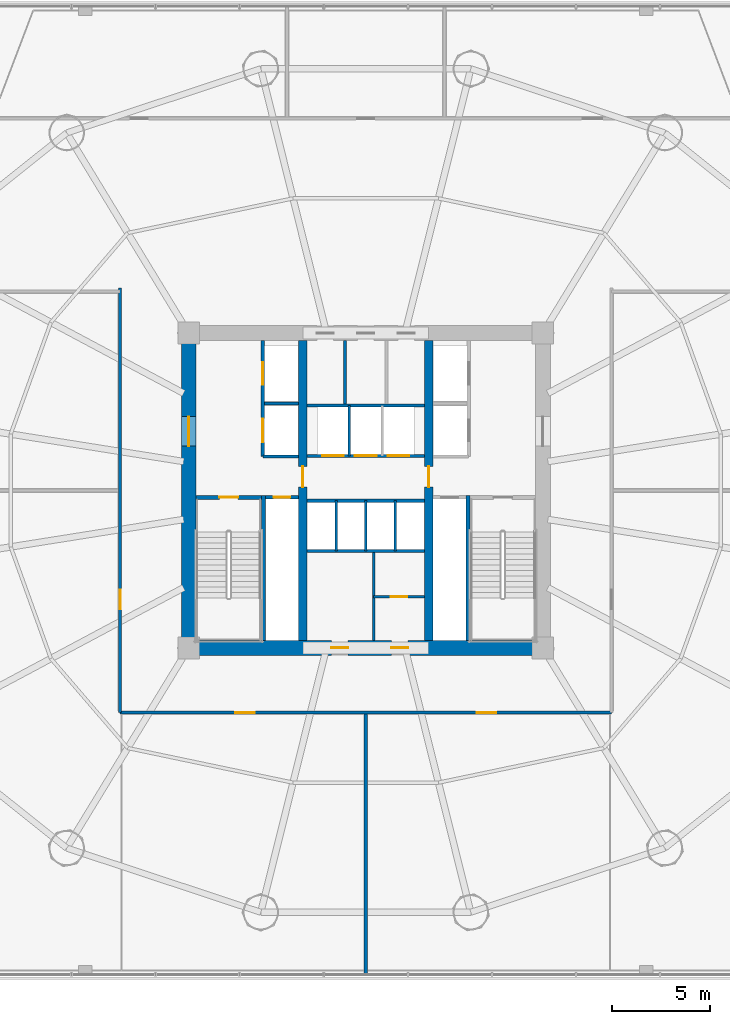
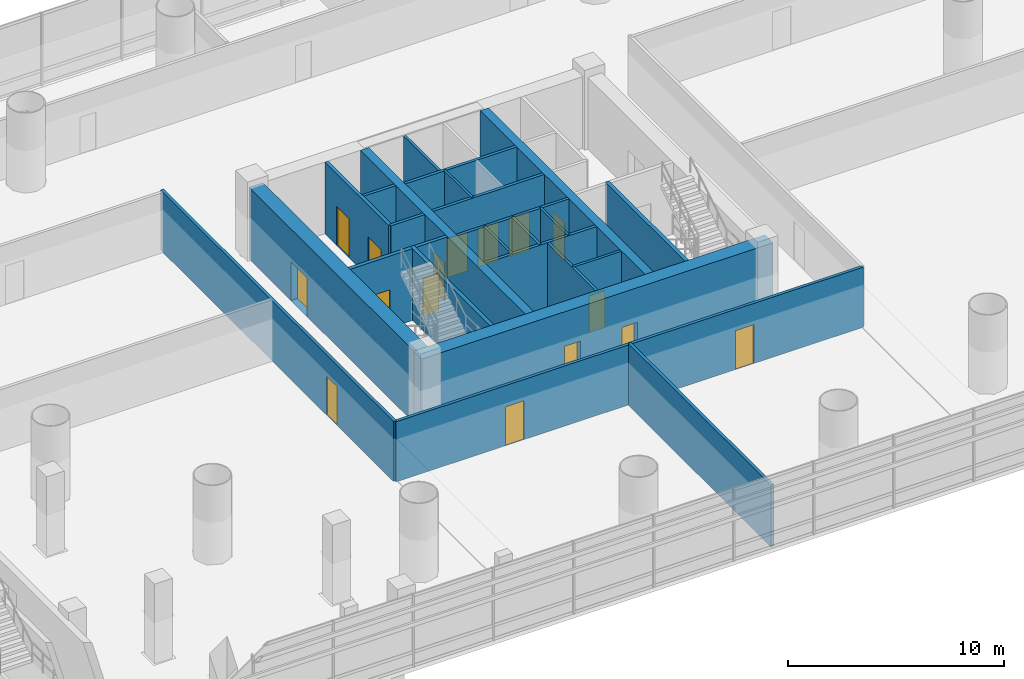
# One storey, part 21 of 36: 25 walls, 16 doors, 16 openings.
"""IFC4 building model written with IfcOpenShell, lengths in metres."""

from ifc_helpers import new_model, si_unit, direction, frame, frame_2d, origin, place, context, subcontext, project, spatial, rectangle, extrude, source, transform, mapped, material, layer, layer_set, type_object, element, fill, save


model = new_model("IFC4")

# Units and contexts
model_context = context("Model", 3, precision=1e-05, world=origin(), true_north=direction((-0.2419218956, 0.970295726276)))
body_context = subcontext(model_context, "Body", "Model", "MODEL_VIEW")
ifc_project = project(units=[si_unit("LENGTHUNIT", "METRE"), si_unit("AREAUNIT", "SQUARE_METRE"), si_unit("VOLUMEUNIT", "CUBIC_METRE"), si_unit("PLANEANGLEUNIT", "RADIAN"), si_unit("MASSUNIT", "GRAM", prefix="KILO")], contexts=[model_context])

# Site, building, storey
site_placement = place(None, origin())
site = spatial("IfcSite", under=ifc_project, at=site_placement, CompositionType="ELEMENT")
building_placement = place(site_placement, origin())
building = spatial("IfcBuilding", under=site, at=building_placement, Name="Cobrevalo Terracotta Tower", CompositionType="ELEMENT")
storey_placement = place(building_placement, frame((0.0, 0.0, 14.39990234375)))
storey = spatial("IfcBuildingStorey", under=building, at=storey_placement, Name="L03", CompositionType="ELEMENT", Elevation=14.39990234375)

# Wall, openings, doors
ifc_material_1 = material(Name="Concrete C60", Category="concrete")
ifc_layer_1 = layer(ifc_material_1, 0.75)
ifc_layer_set_1 = layer_set([ifc_layer_1], Name="Concrete C60")
wall_type_1 = type_object("IfcWallType", Name="Core shear wall 750 mm Concrete C60", PredefinedType="SHEAR", material=ifc_layer_set_1)
wall_1_placement = place(storey_placement, frame((28.625, 18.800048828125, 0.0), z_axis=(0.0, 0.0, 1.0), x_axis=(1.0, 0.0, 0.0)))
wall_1 = element("IfcWall", 1, at=wall_1_placement, inside=storey, type_object=wall_type_1, Name="L03 south core shear wall", PredefinedType="SHEAR", context=body_context, shape_type="SweptSolid", body=[
    extrude(rectangle(XDim=18.75, YDim=0.75, at=frame_2d((9.375, 0.0))), origin(), (0.0, 0.0, 1.0), 4.050048828125),
])
opening_1_placement = place(wall_1_placement, frame((7.62744140625, 0.0, 0.0)))
opening_1 = element("IfcOpeningElement", 2, at=opening_1_placement, cuts=wall_1, Name="Opening ID-22", PredefinedType="OPENING", context=body_context, shape_type="SweptSolid", body=[
    extrude(rectangle(XDim=0.85009765625, YDim=2.10009765625, at=frame_2d((0.425048828125, 1.050048828125))), frame((0.0, 0.385009765625, 0.0), z_axis=(0.0, -1.0, 0.0), x_axis=(1.0, 0.0, 0.0)), (0.0, 0.0, 1.0), 0.77001953125),
])
opening_2_placement = place(wall_1_placement, frame((10.672607421875, 0.0, 0.0)))
opening_2 = element("IfcOpeningElement", 3, at=opening_2_placement, cuts=wall_1, Name="Opening ID-22", PredefinedType="OPENING", context=body_context, shape_type="SweptSolid", body=[
    extrude(rectangle(XDim=0.85009765625, YDim=2.10009765625, at=frame_2d((0.425048828125, 1.050048828125))), frame((0.0, 0.385009765625, 0.0), z_axis=(0.0, -1.0, 0.0), x_axis=(1.0, 0.0, 0.0)), (0.0, 0.0, 1.0), 0.77001953125),
])
ifc_material_2 = material(Name="Powder-coated steel", Category="steel")
door_type_1 = type_object("IfcDoorType", Name="Riser shaft & meter closet fire access door 850x2100 EI 60", OperationType="NOTDEFINED", PredefinedType="DOOR", material=ifc_material_2)
shared_shape_1 = source(origin(), body_context, "Body", "SweptSolid", [
    extrude(rectangle(XDim=0.85009765625, YDim=2.10009765625, at=frame_2d((0.425048828125, 1.050048828125))), frame((0.0, 0.02490234375, 0.0), z_axis=(0.0, -1.0, 0.0), x_axis=(1.0, 0.0, 0.0)), (0.0, 0.0, 1.0), 0.050048828125),
])
door_1_placement = place(opening_1_placement, origin())
door_1 = element("IfcDoor", 4, at=door_1_placement, inside=storey, type_object=door_type_1, Name="L03 core south plant door Floor AHU Mechanical Plant", OperationType="SINGLE_SWING_RIGHT", OverallHeight=2.10009765625, OverallWidth=0.85009765625, PredefinedType="DOOR", context=body_context, shape_type="MappedRepresentation", body=[
    mapped(shared_shape_1, transform((0.0, 0.0, 0.0), scale=1.0)),
])
fill(opening_1, door_1)
door_2_placement = place(opening_2_placement, origin())
door_2 = element("IfcDoor", 5, at=door_2_placement, inside=storey, type_object=door_type_1, Name="L03 core south plant door Sprinkler Valve Plant", OperationType="SINGLE_SWING_RIGHT", OverallHeight=2.10009765625, OverallWidth=0.85009765625, PredefinedType="DOOR", context=body_context, shape_type="MappedRepresentation", body=[
    mapped(shared_shape_1, transform((0.0, 0.0, 0.0), scale=1.0)),
])
fill(opening_2, door_2)

# Wall, opening, door
wall_2_placement = place(storey_placement, frame((29.0, 19.175048828125, 0.0), z_axis=(0.0, 0.0, 1.0), x_axis=(0.0, 1.0, 0.0)))
wall_2 = element("IfcWall", 6, at=wall_2_placement, inside=storey, type_object=wall_type_1, Name="L03 west core shear wall", PredefinedType="SHEAR", context=body_context, shape_type="SweptSolid", body=[
    extrude(rectangle(XDim=15.25, YDim=0.75, at=frame_2d((7.625, 0.0))), origin(), (0.0, 0.0, 1.0), 4.050048828125),
])
opening_3_placement = place(wall_2_placement, frame((9.875, 0.0, 0.0)))
opening_3 = element("IfcOpeningElement", 7, at=opening_3_placement, cuts=wall_2, Name="Opening ID-14", PredefinedType="OPENING", context=body_context, shape_type="SweptSolid", body=[
    extrude(rectangle(XDim=1.5, YDim=2.199951171875, at=frame_2d((0.75, 1.10009765625))), frame((0.0, 0.385009765625, 0.0), z_axis=(0.0, -1.0, 0.0), x_axis=(1.0, 0.0, 0.0)), (0.0, 0.0, 1.0), 0.77001953125),
])
ifc_material_3 = material(Name="Galvanized fire-rated steel", Category="steel")
door_type_2 = type_object("IfcDoorType", Name="Core cross-lobby double fire door 1500x2200 EI 90", OperationType="NOTDEFINED", PredefinedType="DOOR", material=ifc_material_3)
shared_shape_2 = source(origin(), body_context, "Body", "SweptSolid", [
    extrude(rectangle(XDim=1.5, YDim=2.199951171875, at=frame_2d((0.75, 1.10009765625))), frame((0.0, 0.02490234375, 0.0), z_axis=(0.0, -1.0, 0.0), x_axis=(1.0, 0.0, 0.0)), (0.0, 0.0, 1.0), 0.050048828125),
])
door_3_placement = place(opening_3_placement, origin())
door_3 = element("IfcDoor", 8, at=door_3_placement, inside=storey, type_object=door_type_2, Name="L03 west firefighting lobby entrance door", OperationType="DOUBLE_DOOR_SINGLE_SWING", OverallHeight=2.199951171875, OverallWidth=1.5, PredefinedType="DOOR", context=body_context, shape_type="MappedRepresentation", body=[
    mapped(shared_shape_2, transform((0.0, 0.0, 0.0), scale=1.0)),
])
fill(opening_3, door_3)

# Walls
ifc_material_4 = material(Name="Gypsum board on steel stud", Category="steel")
ifc_layer_2 = layer(ifc_material_4, 0.159912109375)
ifc_layer_set_2 = layer_set([ifc_layer_2], Name="Gypsum board on steel stud")
wall_type_2 = type_object("IfcWallType", Name="Fire-rated corridor acoustic partition wall 160 mm", PredefinedType="PARTITIONING", material=ifc_layer_set_2)
wall_3_placement = place(storey_placement, frame((32.860107421875, 31.219970703125, 0.0), z_axis=(0.0, 0.0, 1.0), x_axis=(1.0, 0.0, 0.0)))
element("IfcWall", 9, at=wall_3_placement, inside=storey, type_object=wall_type_2, Name="L03 interior partition IW-L03-FF1-M", PredefinedType="PARTITIONING", context=body_context, shape_type="SweptSolid", body=[
    extrude(rectangle(XDim=1.71484375, YDim=0.159912109375, at=frame_2d((0.857421875, 0.0))), origin(), (0.0, 0.0, 1.0), 4.050048828125),
])
wall_4_placement = place(storey_placement, frame((32.77001953125, 28.52001953125, 0.0), z_axis=(0.0, 0.0, 1.0), x_axis=(1.0, 0.0, 0.0)))
element("IfcWall", 10, at=wall_4_placement, inside=storey, type_object=wall_type_2, Name="L03 interior partition IW-L03-FF1-S", PredefinedType="PARTITIONING", context=body_context, shape_type="SweptSolid", body=[
    extrude(rectangle(XDim=1.804931640625, YDim=0.159912109375, at=frame_2d((0.90234375, 0.0))), origin(), (0.0, 0.0, 1.0), 4.050048828125),
])

# Wall, openings, doors
wall_5_placement = place(storey_placement, frame((35.02490234375, 28.56005859375, 0.0), z_axis=(0.0, 0.0, 1.0), x_axis=(1.0, 0.0, 0.0)))
wall_5 = element("IfcWall", 11, at=wall_5_placement, inside=storey, type_object=wall_type_2, Name="L03 interior partition IW-L03-LB-S", PredefinedType="PARTITIONING", context=body_context, shape_type="SweptSolid", body=[
    extrude(rectangle(XDim=5.9501953125, YDim=0.159912109375, at=frame_2d((2.97509765625, 0.0))), origin(), (0.0, 0.0, 1.0), 4.050048828125),
])
opening_4_placement = place(wall_5_placement, frame((0.760009765625, 0.0, 0.0)))
opening_4 = element("IfcOpeningElement", 12, at=opening_4_placement, cuts=wall_5, Name="Opening LD-01", PredefinedType="OPENING", context=body_context, shape_type="SweptSolid", body=[
    extrude(rectangle(XDim=1.10009765625, YDim=2.199951171875, at=frame_2d((0.550048828125, 1.10009765625))), frame((0.0, 0.08984375, 0.0), z_axis=(0.0, -1.0, 0.0), x_axis=(1.0, 0.0, 0.0)), (0.0, 0.0, 1.0), 0.179931640625),
])
opening_5_placement = place(wall_5_placement, frame((2.425048828125, 0.0, 0.0)))
opening_5 = element("IfcOpeningElement", 13, at=opening_5_placement, cuts=wall_5, Name="Opening LD-01", PredefinedType="OPENING", context=body_context, shape_type="SweptSolid", body=[
    extrude(rectangle(XDim=1.10009765625, YDim=2.199951171875, at=frame_2d((0.550048828125, 1.10009765625))), frame((0.0, 0.08984375, 0.0), z_axis=(0.0, -1.0, 0.0), x_axis=(1.0, 0.0, 0.0)), (0.0, 0.0, 1.0), 0.179931640625),
])
opening_6_placement = place(wall_5_placement, frame((4.090087890625, 0.0, 0.0)))
opening_6 = element("IfcOpeningElement", 14, at=opening_6_placement, cuts=wall_5, Name="Opening LD-01", PredefinedType="OPENING", context=body_context, shape_type="SweptSolid", body=[
    extrude(rectangle(XDim=1.10009765625, YDim=2.199951171875, at=frame_2d((0.550048828125, 1.10009765625))), frame((0.0, 0.08984375, 0.0), z_axis=(0.0, -1.0, 0.0), x_axis=(1.0, 0.0, 0.0)), (0.0, 0.0, 1.0), 0.179931640625),
])
ifc_material_5 = material(Name="Brushed stainless steel", Category="steel")
door_type_3 = type_object("IfcDoorType", Name="Passenger lift landing bi-parting sliding door 1100x2200 EI 90", OperationType="DOUBLE_DOOR_SLIDING", PredefinedType="DOOR", material=ifc_material_5)
shared_shape_3 = source(origin(), body_context, "Body", "SweptSolid", [
    extrude(rectangle(XDim=1.10009765625, YDim=2.199951171875, at=frame_2d((0.550048828125, 1.10009765625))), frame((0.0, 0.02490234375, 0.0), z_axis=(0.0, -1.0, 0.0), x_axis=(1.0, 0.0, 0.0)), (0.0, 0.0, 1.0), 0.050048828125),
])
door_4_placement = place(opening_4_placement, origin())
door_4 = element("IfcDoor", 15, at=door_4_placement, inside=storey, type_object=door_type_3, Name="L03 lift landing door PL-L1", OperationType="DOUBLE_DOOR_SLIDING", OverallHeight=2.199951171875, OverallWidth=1.10009765625, PredefinedType="DOOR", context=body_context, shape_type="MappedRepresentation", body=[
    mapped(shared_shape_3, transform((0.0, 0.0, 0.0), scale=1.0)),
])
fill(opening_4, door_4)
door_5_placement = place(opening_5_placement, origin())
door_5 = element("IfcDoor", 16, at=door_5_placement, inside=storey, type_object=door_type_3, Name="L03 lift landing door PL-L2", OperationType="DOUBLE_DOOR_SLIDING", OverallHeight=2.199951171875, OverallWidth=1.10009765625, PredefinedType="DOOR", context=body_context, shape_type="MappedRepresentation", body=[
    mapped(shared_shape_3, transform((0.0, 0.0, 0.0), scale=1.0)),
])
fill(opening_5, door_5)
door_6_placement = place(opening_6_placement, origin())
door_6 = element("IfcDoor", 17, at=door_6_placement, inside=storey, type_object=door_type_3, Name="L03 lift landing door PL-L3", OperationType="DOUBLE_DOOR_SLIDING", OverallHeight=2.199951171875, OverallWidth=1.10009765625, PredefinedType="DOOR", context=body_context, shape_type="MappedRepresentation", body=[
    mapped(shared_shape_3, transform((0.0, 0.0, 0.0), scale=1.0)),
])
fill(opening_6, door_6)

# Walls
for number, where, z_axis, x_axis, name in (
    (18, (35.02490234375, 31.1201171875, 0.0), (0.0, 0.0, 1.0), (1.0, 0.0, 0.0), "L03 interior partition IW-L03-LB-N"),
    (19, (35.02490234375, 26.280029296875, 0.0), (0.0, 0.0, 1.0), (1.0, 0.0, 0.0), "L03 interior partition IW-L03-MB-N"),
    (20, (35.02490234375, 23.719970703125, 0.0), (0.0, 0.0, 1.0), (1.0, 0.0, 0.0), "L03 interior partition IW-L03-MB-S"),
):
    element("IfcWall", number, at=place(storey_placement, frame(where, z_axis=z_axis, x_axis=x_axis)), inside=storey, type_object=wall_type_2, Name=name, PredefinedType="PARTITIONING", context=body_context, shape_type="SweptSolid", body=[
        extrude(rectangle(XDim=5.9501953125, YDim=0.159912109375, at=frame_2d((2.97509765625, 0.0))), origin(), (0.0, 0.0, 1.0), 4.050048828125),
    ])

# Wall, openings, doors
wall_6_placement = place(storey_placement, frame((25.52001953125, 15.52001953125, 0.0), z_axis=(0.0, 0.0, 1.0), x_axis=(1.0, 0.0, 0.0)))
wall_6 = element("IfcWall", 21, at=wall_6_placement, inside=storey, type_object=wall_type_2, Name="L03 interior partition IW-L03-PC-S", PredefinedType="PARTITIONING", context=body_context, shape_type="SweptSolid", body=[
    extrude(rectangle(XDim=24.9599609375, YDim=0.159912109375, at=frame_2d((12.47998046875, 0.0))), origin(), (0.0, 0.0, 1.0), 3.400146484375),
])
opening_7_placement = place(wall_6_placement, frame((5.8544921875, 0.0, 0.0)))
opening_7 = element("IfcOpeningElement", 22, at=opening_7_placement, cuts=wall_6, Name="Opening ID-05", PredefinedType="OPENING", context=body_context, shape_type="SweptSolid", body=[
    extrude(rectangle(XDim=0.97998046875, YDim=2.199951171875, at=frame_2d((0.489990234375, 1.10009765625))), frame((0.0, 0.08984375, 0.0), z_axis=(0.0, -1.0, 0.0), x_axis=(1.0, 0.0, 0.0)), (0.0, 0.0, 1.0), 0.179931640625),
])
opening_8_placement = place(wall_6_placement, frame((18.12548828125, 0.0, 0.0)))
opening_8 = element("IfcOpeningElement", 23, at=opening_8_placement, cuts=wall_6, Name="Opening ID-05", PredefinedType="OPENING", context=body_context, shape_type="SweptSolid", body=[
    extrude(rectangle(XDim=0.97998046875, YDim=2.199951171875, at=frame_2d((0.489990234375, 1.10009765625))), frame((0.0, 0.08984375, 0.0), z_axis=(0.0, -1.0, 0.0), x_axis=(1.0, 0.0, 0.0)), (0.0, 0.0, 1.0), 0.179931640625),
])
ifc_material_6 = material(Name="Solid hardwood timber", Category="wood")
door_type_4 = type_object("IfcDoorType", Name="Residence entrance fire-rated acoustic timber door 980x2200 EI 60", OperationType="NOTDEFINED", PredefinedType="DOOR", material=ifc_material_6)
shared_shape_4 = source(origin(), body_context, "Body", "SweptSolid", [
    extrude(rectangle(XDim=0.97998046875, YDim=2.199951171875, at=frame_2d((0.489990234375, 1.10009765625))), frame((0.0, 0.02490234375, 0.0), z_axis=(0.0, -1.0, 0.0), x_axis=(1.0, 0.0, 0.0)), (0.0, 0.0, 1.0), 0.050048828125),
])
door_7_placement = place(opening_7_placement, frame((0.97998046875, 0.0, 0.0), z_axis=(0.0, 0.0, 1.0), x_axis=(-1.0, 0.0, 0.0)))
door_7 = element("IfcDoor", 24, at=door_7_placement, inside=storey, type_object=door_type_4, Name="L03 Physiotherapy Recovery Suite door", OperationType="SINGLE_SWING_LEFT", OverallHeight=2.199951171875, OverallWidth=0.97998046875, PredefinedType="DOOR", context=body_context, shape_type="MappedRepresentation", body=[
    mapped(shared_shape_4, transform((0.0, 0.0, 0.0), scale=1.0)),
])
fill(opening_7, door_7)
door_8_placement = place(opening_8_placement, frame((0.97998046875, 0.0, 0.0), z_axis=(0.0, 0.0, 1.0), x_axis=(-1.0, 0.0, 0.0)))
door_8 = element("IfcDoor", 25, at=door_8_placement, inside=storey, type_object=door_type_4, Name="L03 Spa Changing Suite door", OperationType="SINGLE_SWING_RIGHT", OverallHeight=2.199951171875, OverallWidth=0.97998046875, PredefinedType="DOOR", context=body_context, shape_type="MappedRepresentation", body=[
    mapped(shared_shape_4, transform((0.0, 0.0, 0.0), scale=1.0)),
])
fill(opening_8, door_8)

# Wall, opening, door
wall_7_placement = place(storey_placement, frame((25.52001953125, 15.52001953125, 0.0), z_axis=(0.0, 0.0, 1.0), x_axis=(0.0, 1.0, 0.0)))
wall_7 = element("IfcWall", 26, at=wall_7_placement, inside=storey, type_object=wall_type_2, Name="L03 interior partition IW-L03-PC-W", PredefinedType="PARTITIONING", context=body_context, shape_type="SweptSolid", body=[
    extrude(rectangle(XDim=21.56005859375, YDim=0.159912109375, at=frame_2d((10.780029296875, 0.0))), origin(), (0.0, 0.0, 1.0), 3.400146484375),
])
opening_9_placement = place(wall_7_placement, frame((5.25439453125, 0.0, 0.0)))
opening_9 = element("IfcOpeningElement", 27, at=opening_9_placement, cuts=wall_7, Name="Opening ID-05", PredefinedType="OPENING", context=body_context, shape_type="SweptSolid", body=[
    extrude(rectangle(XDim=0.97998046875, YDim=2.199951171875, at=frame_2d((0.489990234375, 1.10009765625))), frame((0.0, 0.08984375, 0.0), z_axis=(0.0, -1.0, 0.0), x_axis=(1.0, 0.0, 0.0)), (0.0, 0.0, 1.0), 0.179931640625),
])
door_9_placement = place(opening_9_placement, frame((0.97998046875, 0.0, 0.0), z_axis=(0.0, 0.0, 1.0), x_axis=(-1.0, 0.0, 0.0)))
door_9 = element("IfcDoor", 28, at=door_9_placement, inside=storey, type_object=door_type_4, Name="L03 Hydrotherapy Spa Suite door", OperationType="SINGLE_SWING_LEFT", OverallHeight=2.199951171875, OverallWidth=0.97998046875, PredefinedType="DOOR", context=body_context, shape_type="MappedRepresentation", body=[
    mapped(shared_shape_4, transform((0.0, 0.0, 0.0), scale=1.0)),
])
fill(opening_9, door_9)

# Wall
wall_8_placement = place(storey_placement, frame((38.0, 2.239990234375, 0.0), z_axis=(0.0, 0.0, 1.0), x_axis=(0.0, 1.0, 0.0)))
element("IfcWall", 29, at=wall_8_placement, inside=storey, type_object=wall_type_2, Name="L03 interior partition IW-L03-PS-M", PredefinedType="PARTITIONING", context=body_context, shape_type="SweptSolid", body=[
    extrude(rectangle(XDim=13.197998046875, YDim=0.159912109375, at=frame_2d((6.59912109375, 0.0))), origin(), (0.0, 0.0, 1.0), 3.4921875),
])

# Wall, opening, door
ifc_layer_3 = layer(ifc_material_4, 0.179931640625)
ifc_layer_set_3 = layer_set([ifc_layer_3], Name="Gypsum board on steel stud")
wall_type_3 = type_object("IfcWallType", Name="Fire-rated shaft & lobby acoustic partition wall 180 mm", PredefinedType="PARTITIONING", material=ifc_layer_set_3)
wall_9_placement = place(storey_placement, frame((32.89990234375, 26.449951171875, 0.0), z_axis=(0.0, 0.0, 1.0), x_axis=(1.0, 0.0, 0.0)))
wall_9 = element("IfcWall", 30, at=wall_9_placement, inside=storey, type_object=wall_type_3, Name="L03 interior partition IW-L03-RSW-N", PredefinedType="PARTITIONING", context=body_context, shape_type="SweptSolid", body=[
    extrude(rectangle(XDim=1.675048828125, YDim=0.179931640625, at=frame_2d((0.83740234375, 0.0))), origin(), (0.0, 0.0, 1.0), 4.050048828125),
])
opening_10_placement = place(wall_9_placement, frame((0.41259765625, 0.0, 0.0)))
opening_10 = element("IfcOpeningElement", 31, at=opening_10_placement, cuts=wall_9, Name="Opening ID-22", PredefinedType="OPENING", context=body_context, shape_type="SweptSolid", body=[
    extrude(rectangle(XDim=0.85009765625, YDim=2.10009765625, at=frame_2d((0.425048828125, 1.050048828125))), frame((0.0, 0.10009765625, 0.0), z_axis=(0.0, -1.0, 0.0), x_axis=(1.0, 0.0, 0.0)), (0.0, 0.0, 1.0), 0.199951171875),
])
door_10_placement = place(opening_10_placement, origin())
door_10 = element("IfcDoor", 32, at=door_10_placement, inside=storey, type_object=door_type_1, Name="L03 riser access door RSW", OperationType="SINGLE_SWING_LEFT", OverallHeight=2.10009765625, OverallWidth=0.85009765625, PredefinedType="DOOR", context=body_context, shape_type="MappedRepresentation", body=[
    mapped(shared_shape_1, transform((0.0, 0.0, 0.0), scale=1.0)),
])
fill(opening_10, door_10)

# Wall, openings, doors
wall_10_placement = place(storey_placement, frame((32.77001953125, 28.52001953125, 0.0), z_axis=(0.0, 0.0, 1.0), x_axis=(0.0, 1.0, 0.0)))
wall_10 = element("IfcWall", 33, at=wall_10_placement, inside=storey, type_object=wall_type_3, Name="L03 interior partition IW-L03-FF1-W", PredefinedType="PARTITIONING", context=body_context, shape_type="SweptSolid", body=[
    extrude(rectangle(XDim=5.905029296875, YDim=0.179931640625, at=frame_2d((2.95263671875, 0.0))), origin(), (0.0, 0.0, 1.0), 4.050048828125),
])
opening_11_placement = place(wall_10_placement, frame((3.655029296875, 0.0, 0.0)))
opening_11 = element("IfcOpeningElement", 34, at=opening_11_placement, cuts=wall_10, Name="Opening LD-02", PredefinedType="OPENING", context=body_context, shape_type="SweptSolid", body=[
    extrude(rectangle(XDim=1.14990234375, YDim=2.199951171875, at=frame_2d((0.574951171875, 1.10009765625))), frame((0.0, 0.10009765625, 0.0), z_axis=(0.0, -1.0, 0.0), x_axis=(1.0, 0.0, 0.0)), (0.0, 0.0, 1.0), 0.199951171875),
])
opening_12_placement = place(wall_10_placement, frame((0.72998046875, 0.0, 0.0)))
opening_12 = element("IfcOpeningElement", 35, at=opening_12_placement, cuts=wall_10, Name="Opening LD-03", PredefinedType="OPENING", context=body_context, shape_type="SweptSolid", body=[
    extrude(rectangle(XDim=1.199951171875, YDim=2.25, at=frame_2d((0.60009765625, 1.125))), frame((0.0, 0.10009765625, 0.0), z_axis=(0.0, -1.0, 0.0), x_axis=(1.0, 0.0, 0.0)), (0.0, 0.0, 1.0), 0.199951171875),
])
door_type_5 = type_object("IfcDoorType", Name="Firefighting lift landing bi-parting sliding door 1150x2200 EI 120", OperationType="DOUBLE_DOOR_SLIDING", PredefinedType="DOOR", material=ifc_material_5)
shared_shape_5 = source(origin(), body_context, "Body", "SweptSolid", [
    extrude(rectangle(XDim=1.14990234375, YDim=2.199951171875, at=frame_2d((0.574951171875, 1.10009765625))), frame((0.0, 0.02490234375, 0.0), z_axis=(0.0, -1.0, 0.0), x_axis=(1.0, 0.0, 0.0)), (0.0, 0.0, 1.0), 0.050048828125),
])
door_11_placement = place(opening_11_placement, origin())
door_11 = element("IfcDoor", 36, at=door_11_placement, inside=storey, type_object=door_type_5, Name="L03 lift landing door FF-1", OperationType="DOUBLE_DOOR_SLIDING", OverallHeight=2.199951171875, OverallWidth=1.14990234375, PredefinedType="DOOR", context=body_context, shape_type="MappedRepresentation", body=[
    mapped(shared_shape_5, transform((0.0, 0.0, 0.0), scale=1.0)),
])
fill(opening_11, door_11)
door_type_6 = type_object("IfcDoorType", Name="Service lift landing bi-parting sliding door 1200x2250 EI 120", OperationType="DOUBLE_DOOR_SLIDING", PredefinedType="DOOR", material=ifc_material_5)
shared_shape_6 = source(origin(), body_context, "Body", "SweptSolid", [
    extrude(rectangle(XDim=1.199951171875, YDim=2.25, at=frame_2d((0.60009765625, 1.125))), frame((0.0, 0.02490234375, 0.0), z_axis=(0.0, -1.0, 0.0), x_axis=(1.0, 0.0, 0.0)), (0.0, 0.0, 1.0), 0.050048828125),
])
door_12_placement = place(opening_12_placement, origin())
door_12 = element("IfcDoor", 37, at=door_12_placement, inside=storey, type_object=door_type_6, Name="L03 lift landing door SV-1", OperationType="DOUBLE_DOOR_SLIDING", OverallHeight=2.25, OverallWidth=1.199951171875, PredefinedType="DOOR", context=body_context, shape_type="MappedRepresentation", body=[
    mapped(shared_shape_6, transform((0.0, 0.0, 0.0), scale=1.0)),
])
fill(opening_12, door_12)

# Walls
ifc_material_7 = material(Name="Autoclaved aerated concrete block", Category="concrete")
ifc_layer_4 = layer(ifc_material_7, 0.1201171875)
ifc_layer_set_4 = layer_set([ifc_layer_4], Name="Autoclaved aerated concrete block")
wall_type_4 = type_object("IfcWallType", Name="Fire-rated wet-room & core service partition 120 mm", PredefinedType="PARTITIONING", material=ifc_layer_set_4)
for number, where, z_axis, x_axis, name in (
    (38, (37.169921875, 28.56005859375, 0.0), (0.0, 0.0, 1.0), (0.0, 1.0, 0.0), "L03 interior partition IW-L03-LB-D1"),
    (39, (36.5, 23.719970703125, 0.0), (0.0, 0.0, 1.0), (0.0, 1.0, 0.0), "L03 interior partition IW-L03-MB-D1"),
    (40, (39.5, 23.719970703125, 0.0), (0.0, 0.0, 1.0), (0.0, 1.0, 0.0), "L03 interior partition IW-L03-MB-D3"),
):
    element("IfcWall", number, at=place(storey_placement, frame(where, z_axis=z_axis, x_axis=x_axis)), inside=storey, type_object=wall_type_4, Name=name, PredefinedType="PARTITIONING", context=body_context, shape_type="SweptSolid", body=[
        extrude(rectangle(XDim=2.56005859375, YDim=0.1201171875, at=frame_2d((1.280029296875, 0.0))), origin(), (0.0, 0.0, 1.0), 4.050048828125),
    ])

# Wall, opening, door
ifc_material_8 = material(Name="Concrete C55", Category="concrete")
ifc_layer_5 = layer(ifc_material_8, 0.449951171875)
ifc_layer_set_5 = layer_set([ifc_layer_5], Name="Concrete C55")
wall_type_5 = type_object("IfcWallType", Name="Internal core shear web wall 450 mm Concrete C55", PredefinedType="SHEAR", material=ifc_layer_set_5)
wall_11_placement = place(storey_placement, frame((34.800048828125, 19.175048828125, 0.0), z_axis=(0.0, 0.0, 1.0), x_axis=(0.0, 1.0, 0.0)))
wall_11 = element("IfcWall", 41, at=wall_11_placement, inside=storey, type_object=wall_type_5, Name="L03 internal core shear wall WEB-W", PredefinedType="SHEAR", context=body_context, shape_type="SweptSolid", body=[
    extrude(rectangle(XDim=15.25, YDim=0.449951171875, at=frame_2d((7.625, 0.0))), origin(), (0.0, 0.0, 1.0), 4.050048828125),
])
opening_13_placement = place(wall_11_placement, frame((7.800048828125, 0.0, 0.0)))
opening_13 = element("IfcOpeningElement", 42, at=opening_13_placement, cuts=wall_11, Name="Opening ID-11", PredefinedType="OPENING", context=body_context, shape_type="SweptSolid", body=[
    extrude(rectangle(XDim=1.050048828125, YDim=2.14990234375, at=frame_2d((0.52490234375, 1.074951171875))), frame((0.0, 0.23486328125, 0.0), z_axis=(0.0, -1.0, 0.0), x_axis=(1.0, 0.0, 0.0)), (0.0, 0.0, 1.0), 0.469970703125),
])
door_type_7 = type_object("IfcDoorType", Name="Core concourse cross fire door 1050x2150 EI 90", OperationType="NOTDEFINED", PredefinedType="DOOR", material=ifc_material_3)
shared_shape_7 = source(origin(), body_context, "Body", "SweptSolid", [
    extrude(rectangle(XDim=1.050048828125, YDim=2.14990234375, at=frame_2d((0.52490234375, 1.074951171875))), frame((0.0, 0.02490234375, 0.0), z_axis=(0.0, -1.0, 0.0), x_axis=(1.0, 0.0, 0.0)), (0.0, 0.0, 1.0), 0.050048828125),
])
door_13_placement = place(opening_13_placement, origin())
door_13 = element("IfcDoor", 43, at=door_13_placement, inside=storey, type_object=door_type_7, Name="L03 west core concourse cross door", OperationType="SINGLE_SWING_LEFT", OverallHeight=2.14990234375, OverallWidth=1.050048828125, PredefinedType="DOOR", context=body_context, shape_type="MappedRepresentation", body=[
    mapped(shared_shape_7, transform((0.0, 0.0, 0.0), scale=1.0)),
])
fill(opening_13, door_13)

wall_12_placement = place(storey_placement, frame((41.199951171875, 19.175048828125, 0.0), z_axis=(0.0, 0.0, 1.0), x_axis=(0.0, 1.0, 0.0)))
wall_12 = element("IfcWall", 44, at=wall_12_placement, inside=storey, type_object=wall_type_5, Name="L03 internal core shear wall WEB-E", PredefinedType="SHEAR", context=body_context, shape_type="SweptSolid", body=[
    extrude(rectangle(XDim=15.25, YDim=0.449951171875, at=frame_2d((7.625, 0.0))), origin(), (0.0, 0.0, 1.0), 4.050048828125),
])
opening_14_placement = place(wall_12_placement, frame((7.800048828125, 0.0, 0.0)))
opening_14 = element("IfcOpeningElement", 45, at=opening_14_placement, cuts=wall_12, Name="Opening ID-11", PredefinedType="OPENING", context=body_context, shape_type="SweptSolid", body=[
    extrude(rectangle(XDim=1.050048828125, YDim=2.14990234375, at=frame_2d((0.52490234375, 1.074951171875))), frame((0.0, 0.23486328125, 0.0), z_axis=(0.0, -1.0, 0.0), x_axis=(1.0, 0.0, 0.0)), (0.0, 0.0, 1.0), 0.469970703125),
])
door_14_placement = place(opening_14_placement, frame((1.050048828125, 0.0, 0.0), z_axis=(0.0, 0.0, 1.0), x_axis=(-1.0, 0.0, 0.0)))
door_14 = element("IfcDoor", 46, at=door_14_placement, inside=storey, type_object=door_type_7, Name="L03 east core concourse cross door", OperationType="SINGLE_SWING_RIGHT", OverallHeight=2.14990234375, OverallWidth=1.050048828125, PredefinedType="DOOR", context=body_context, shape_type="MappedRepresentation", body=[
    mapped(shared_shape_7, transform((0.0, 0.0, 0.0), scale=1.0)),
])
fill(opening_14, door_14)

# Walls
ifc_layer_6 = layer(ifc_material_7, 0.139892578125)
ifc_layer_set_6 = layer_set([ifc_layer_6], Name="Autoclaved aerated concrete block")
wall_type_6 = type_object("IfcWallType", Name="Moisture-resistant wet-room & core service partition 140 mm", PredefinedType="PARTITIONING", material=ifc_layer_set_6)
wall_13_placement = place(storey_placement, frame((36.949951171875, 31.199951171875, 0.0), z_axis=(0.0, 0.0, 1.0), x_axis=(0.0, 1.0, 0.0)))
element("IfcWall", 47, at=wall_13_placement, inside=storey, type_object=wall_type_6, Name="L03 interior partition IW-L03-KVN-A", PredefinedType="PARTITIONING", context=body_context, shape_type="SweptSolid", body=[
    extrude(rectangle(XDim=3.22509765625, YDim=0.139892578125, at=frame_2d((1.612548828125, 0.0))), origin(), (0.0, 0.0, 1.0), 4.050048828125),
])
wall_14_placement = place(storey_placement, frame((38.0, 23.719970703125, 0.0), z_axis=(0.0, 0.0, 1.0), x_axis=(0.0, 1.0, 0.0)))
element("IfcWall", 48, at=wall_14_placement, inside=storey, type_object=wall_type_6, Name="L03 interior partition IW-L03-MB-D2", PredefinedType="PARTITIONING", context=body_context, shape_type="SweptSolid", body=[
    extrude(rectangle(XDim=2.56005859375, YDim=0.139892578125, at=frame_2d((1.280029296875, 0.0))), origin(), (0.0, 0.0, 1.0), 4.050048828125),
])
wall_15_placement = place(storey_placement, frame((38.39990234375, 19.175048828125, 0.0), z_axis=(0.0, 0.0, 1.0), x_axis=(0.0, 1.0, 0.0)))
element("IfcWall", 49, at=wall_15_placement, inside=storey, type_object=wall_type_6, Name="L03 interior partition IW-L03-KVS-L1", PredefinedType="PARTITIONING", context=body_context, shape_type="SweptSolid", body=[
    extrude(rectangle(XDim=4.46484375, YDim=0.139892578125, at=frame_2d((2.232421875, 0.0))), origin(), (0.0, 0.0, 1.0), 4.050048828125),
])

# Wall, opening, door
wall_16_placement = place(storey_placement, frame((38.39990234375, 21.407470703125, 0.0), z_axis=(0.0, 0.0, 1.0), x_axis=(1.0, 0.0, 0.0)))
wall_16 = element("IfcWall", 50, at=wall_16_placement, inside=storey, type_object=wall_type_6, Name="L03 interior partition IW-L03-KVS-L2", PredefinedType="PARTITIONING", context=body_context, shape_type="SweptSolid", body=[
    extrude(rectangle(XDim=2.5751953125, YDim=0.139892578125, at=frame_2d((1.28759765625, 0.0))), origin(), (0.0, 0.0, 1.0), 4.050048828125),
])
opening_15_placement = place(wall_16_placement, frame((0.862548828125, 0.0, 0.0)))
opening_15 = element("IfcOpeningElement", 51, at=opening_15_placement, cuts=wall_16, Name="Opening ID-22", PredefinedType="OPENING", context=body_context, shape_type="SweptSolid", body=[
    extrude(rectangle(XDim=0.85009765625, YDim=2.10009765625, at=frame_2d((0.425048828125, 1.050048828125))), frame((0.0, 0.080078125, 0.0), z_axis=(0.0, -1.0, 0.0), x_axis=(1.0, 0.0, 0.0)), (0.0, 0.0, 1.0), 0.159912109375),
])
door_15_placement = place(opening_15_placement, origin())
door_15 = element("IfcDoor", 52, at=door_15_placement, inside=storey, type_object=door_type_1, Name="L03 core KVS-L2 inner door", OperationType="SINGLE_SWING_LEFT", OverallHeight=2.10009765625, OverallWidth=0.85009765625, PredefinedType="DOOR", context=body_context, shape_type="MappedRepresentation", body=[
    mapped(shared_shape_1, transform((0.0, 0.0, 0.0), scale=1.0)),
])
fill(opening_15, door_15)

# Wall
ifc_material_9 = material(Name="Concrete C50", Category="concrete")
ifc_layer_7 = layer(ifc_material_9, 0.199951171875)
ifc_layer_set_7 = layer_set([ifc_layer_7], Name="Concrete C50")
wall_type_7 = type_object("IfcWallType", Name="Structural core & podium stair-shaft RC wall 200 mm Concrete C50", PredefinedType="SOLIDWALL", material=ifc_layer_set_7)
wall_17_placement = place(storey_placement, frame((32.794921875, 19.175048828125, 0.0), z_axis=(0.0, 0.0, 1.0), x_axis=(0.0, 1.0, 0.0)))
element("IfcWall", 53, at=wall_17_placement, inside=storey, type_object=wall_type_7, Name="L03 ST-1 east structural shaft wall", PredefinedType="SOLIDWALL", context=body_context, shape_type="SweptSolid", body=[
    extrude(rectangle(XDim=7.375, YDim=0.199951171875, at=frame_2d((3.6875, 0.0))), origin(), (0.0, 0.0, 1.0), 4.050048828125),
])

# Wall, opening, door
wall_18_placement = place(storey_placement, frame((29.375, 26.449951171875, 0.0), z_axis=(0.0, 0.0, 1.0), x_axis=(1.0, 0.0, 0.0)))
wall_18 = element("IfcWall", 54, at=wall_18_placement, inside=storey, type_object=wall_type_7, Name="L03 ST-1 north structural shaft wall", PredefinedType="SOLIDWALL", context=body_context, shape_type="SweptSolid", body=[
    extrude(rectangle(XDim=3.320068359375, YDim=0.199951171875, at=frame_2d((1.66015625, 0.0))), origin(), (0.0, 0.0, 1.0), 4.050048828125),
])
opening_16_placement = place(wall_18_placement, frame((1.18505859375, 0.0, 0.0)))
opening_16 = element("IfcOpeningElement", 55, at=opening_16_placement, cuts=wall_18, Name="Opening ID-04", PredefinedType="OPENING", context=body_context, shape_type="SweptSolid", body=[
    extrude(rectangle(XDim=0.949951171875, YDim=2.14990234375, at=frame_2d((0.47509765625, 1.074951171875))), frame((0.0, 0.10986328125, 0.0), z_axis=(0.0, -1.0, 0.0), x_axis=(1.0, 0.0, 0.0)), (0.0, 0.0, 1.0), 0.219970703125),
])
door_type_8 = type_object("IfcDoorType", Name="Stair & firefighting lobby fire door 950x2150 EI 90", OperationType="NOTDEFINED", PredefinedType="DOOR", material=ifc_material_3)
shared_shape_8 = source(origin(), body_context, "Body", "SweptSolid", [
    extrude(rectangle(XDim=0.949951171875, YDim=2.14990234375, at=frame_2d((0.47509765625, 1.074951171875))), frame((0.0, 0.02490234375, 0.0), z_axis=(0.0, -1.0, 0.0), x_axis=(1.0, 0.0, 0.0)), (0.0, 0.0, 1.0), 0.050048828125),
])
door_16_placement = place(opening_16_placement, origin())
door_16 = element("IfcDoor", 56, at=door_16_placement, inside=storey, type_object=door_type_8, Name="L03 protected stair ST1 fire door", OperationType="SINGLE_SWING_LEFT", OverallHeight=2.14990234375, OverallWidth=0.949951171875, PredefinedType="DOOR", context=body_context, shape_type="MappedRepresentation", body=[
    mapped(shared_shape_8, transform((0.0, 0.0, 0.0), scale=1.0)),
])
fill(opening_16, door_16)

# Wall
wall_19_placement = place(storey_placement, frame((43.205078125, 19.175048828125, 0.0), z_axis=(0.0, 0.0, 1.0), x_axis=(0.0, 1.0, 0.0)))
element("IfcWall", 57, at=wall_19_placement, inside=storey, type_object=wall_type_7, Name="L03 ST-2 west structural shaft wall", PredefinedType="SOLIDWALL", context=body_context, shape_type="SweptSolid", body=[
    extrude(rectangle(XDim=7.375, YDim=0.199951171875, at=frame_2d((3.6875, 0.0))), origin(), (0.0, 0.0, 1.0), 4.050048828125),
])

save(model, "model.ifc")
